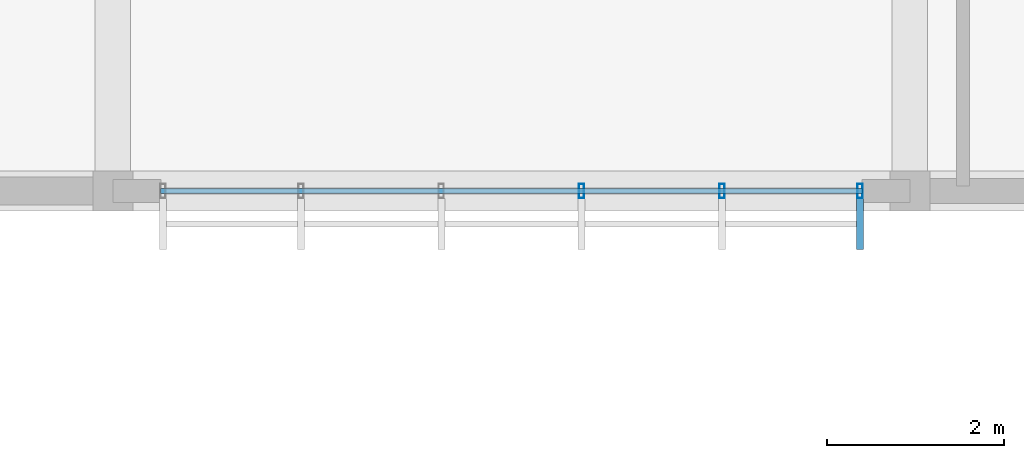
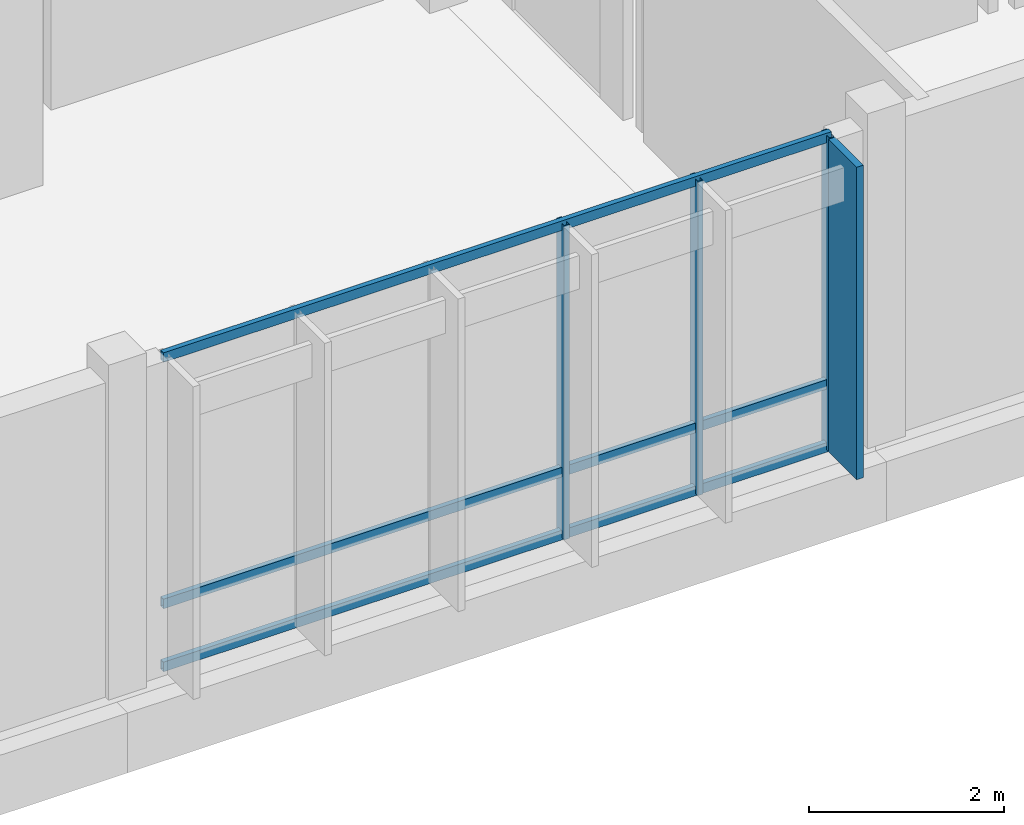
# One storey, part 48 of 94: 7 members, 1 element without a shape of its own.
"""IFC4 building model written with IfcOpenShell, lengths in metres."""

from ifc_helpers import new_model, si_unit, direction, frame, origin, origin_2d, place, context, subcontext, project, spatial, rectangle, hollow_rectangle, extrude, material, material_profile, profile_set, type_object, element, aggregate, save


model = new_model("IFC4")

# Units and contexts
model_context = context("Model", 3, precision=1e-05, world=origin(), true_north=direction((0.0, 1.0)))
body_context = subcontext(model_context, "Body", "Model", "MODEL_VIEW")
ifc_project = project(units=[si_unit("LENGTHUNIT", "METRE"), si_unit("AREAUNIT", "SQUARE_METRE"), si_unit("VOLUMEUNIT", "CUBIC_METRE"), si_unit("PLANEANGLEUNIT", "RADIAN"), si_unit("MASSUNIT", "GRAM", prefix="KILO")], contexts=[model_context])

# Site, building, storey
site_placement = place(None, origin())
site = spatial("IfcSite", under=ifc_project, at=site_placement, CompositionType="ELEMENT")
building_placement = place(site_placement, origin())
building = spatial("IfcBuilding", under=site, at=building_placement, Name="Chiffa Square Polytechnic", CompositionType="ELEMENT")
storey_placement = place(building_placement, frame((0.0, 0.0, 18.0)))
storey = spatial("IfcBuildingStorey", under=building, at=storey_placement, Name="L04", CompositionType="ELEMENT", Elevation=18.0)

# Curtain wall, members
ifc_material_1 = material(Name="Aluminium EN AW-6060 T66 and glulam shading", Category="wood")
curtain_wall_type = type_object("IfcCurtainWallType", Name="CW-VERT-450X380", PredefinedType="USERDEFINED", material=ifc_material_1)
curtain_wall_placement = place(storey_placement, origin())
curtain_wall = element("IfcCurtainWall", 1, at=curtain_wall_placement, inside=storey, type_object=curtain_wall_type, Name="Curtain wall CW-V5-L04-242", ObjectType="CURTAIN WALL", PredefinedType="USERDEFINED")
ifc_material_2 = material(Name="Aluminium EN AW-6060 T66", Category="aluminium")
ifc_material_profile_1 = material_profile(ifc_material_2, hollow_rectangle(XDim=0.06005859375, YDim=0.159912109375, WallThickness=0.00390625, at=origin_2d()), Name="ALU 60x160x4")
ifc_profile_set_1 = profile_set([ifc_material_profile_1], Name="Aluminium EN AW-6060 T66")
member_type_1 = type_object("IfcMemberType", Name="CWM-ALU-65X150", PredefinedType="MULLION", material=ifc_profile_set_1)
member_1_placement = place(storey_placement, frame((80.89208984375, 103.800048828125, 0.0), z_axis=(0.0, 0.0, 1.0), x_axis=(1.0, 0.0, 0.0)))
member_1 = element("IfcMember", 2, at=member_1_placement, type_object=member_type_1, Name="Curtain wall mullion CW-V5-L04-242-M03", PredefinedType="MULLION", context=body_context, shape_type="SweptSolid", body=[
    extrude(hollow_rectangle(XDim=0.06005859375, YDim=0.159912109375, WallThickness=0.00390625, at=origin_2d()), origin(), (0.0, 0.0, 1.0), 3.93994140625),
])
member_2_placement = place(storey_placement, frame((82.47607421875, 103.800048828125, 0.0), z_axis=(0.0, 0.0, 1.0), x_axis=(1.0, 0.0, 0.0)))
member_2 = element("IfcMember", 3, at=member_2_placement, type_object=member_type_1, Name="Curtain wall mullion CW-V5-L04-242-M04", PredefinedType="MULLION", context=body_context, shape_type="SweptSolid", body=[
    extrude(hollow_rectangle(XDim=0.06005859375, YDim=0.159912109375, WallThickness=0.00390625, at=origin_2d()), origin(), (0.0, 0.0, 1.0), 3.93994140625),
])
member_3_placement = place(storey_placement, frame((84.034912109375, 103.800048828125, 0.0), z_axis=(0.0, 0.0, 1.0), x_axis=(1.0, 0.0, 0.0)))
member_3 = element("IfcMember", 4, at=member_3_placement, type_object=member_type_1, Name="Curtain wall mullion CW-V5-L04-242-M05", PredefinedType="MULLION", context=body_context, shape_type="SweptSolid", body=[
    extrude(hollow_rectangle(XDim=0.06005859375, YDim=0.159912109375, WallThickness=0.00390625, at=origin_2d()), origin(), (0.0, 0.0, 1.0), 3.93994140625),
])
ifc_material_3 = material(Name="Glulam GL28h", Category="wood")
ifc_material_profile_2 = material_profile(ifc_material_3, rectangle(XDim=0.080078125, YDim=0.580078125, at=origin_2d()), Name="GL28h 80x580")
ifc_profile_set_2 = profile_set([ifc_material_profile_2], Name="Glulam GL28h")
member_type_2 = type_object("IfcMemberType", Name="CWM-GL-80X580", PredefinedType="MULLION", material=ifc_profile_set_2)
member_4_placement = place(storey_placement, frame((84.034912109375, 103.427978515625, 0.010009765625), z_axis=(0.0, 0.0, 1.0), x_axis=(1.0, 0.0, 0.0)))
member_4 = element("IfcMember", 5, at=member_4_placement, type_object=member_type_2, Name="Exterior glulam solar fin CW-V5-L04-242-FN05", PredefinedType="MULLION", context=body_context, shape_type="SweptSolid", body=[
    extrude(rectangle(XDim=0.080078125, YDim=0.580078125, at=origin_2d()), origin(), (0.0, 0.0, 1.0), 3.919921875),
])
ifc_material_profile_3 = material_profile(ifc_material_2, hollow_rectangle(XDim=0.06005859375, YDim=0.1201171875, WallThickness=0.00390625, at=origin_2d()), Name="ALU 60x120x4")
ifc_profile_set_3 = profile_set([ifc_material_profile_3], Name="Aluminium EN AW-6060 T66")
member_type_3 = type_object("IfcMemberType", Name="CWT-ALU-65X120", PredefinedType="USERDEFINED", material=ifc_profile_set_3)
member_5_placement = place(storey_placement, frame((76.137939453125, 103.800048828125, 0.030029296875), z_axis=(1.0, 0.0, 0.0), x_axis=(0.0, 1.0, 0.0)))
member_5 = element("IfcMember", 6, at=member_5_placement, type_object=member_type_3, Name="Curtain wall transom CW-V5-L04-242-T01", ObjectType="TRANSOM", PredefinedType="USERDEFINED", context=body_context, shape_type="SweptSolid", body=[
    extrude(hollow_rectangle(XDim=0.06005859375, YDim=0.1201171875, WallThickness=0.00390625, at=origin_2d()), origin(), (0.0, 0.0, 1.0), 7.924072265625),
])
member_6_placement = place(storey_placement, frame((76.137939453125, 103.800048828125, 0.820068359375), z_axis=(1.0, 0.0, 0.0), x_axis=(0.0, 1.0, 0.0)))
member_6 = element("IfcMember", 7, at=member_6_placement, type_object=member_type_3, Name="Curtain wall transom CW-V5-L04-242-T02", ObjectType="TRANSOM", PredefinedType="USERDEFINED", context=body_context, shape_type="SweptSolid", body=[
    extrude(hollow_rectangle(XDim=0.06005859375, YDim=0.1201171875, WallThickness=0.00390625, at=origin_2d()), origin(), (0.0, 0.0, 1.0), 7.924072265625),
])
member_7_placement = place(storey_placement, frame((76.137939453125, 103.800048828125, 3.909912109375), z_axis=(1.0, 0.0, 0.0), x_axis=(0.0, 1.0, 0.0)))
member_7 = element("IfcMember", 8, at=member_7_placement, type_object=member_type_3, Name="Curtain wall transom CW-V5-L04-242-T03", ObjectType="TRANSOM", PredefinedType="USERDEFINED", context=body_context, shape_type="SweptSolid", body=[
    extrude(hollow_rectangle(XDim=0.06005859375, YDim=0.1201171875, WallThickness=0.00390625, at=origin_2d()), origin(), (0.0, 0.0, 1.0), 7.924072265625),
])
aggregate(curtain_wall, [member_1, member_2, member_3, member_4, member_5, member_6, member_7])

save(model, "model.ifc")
